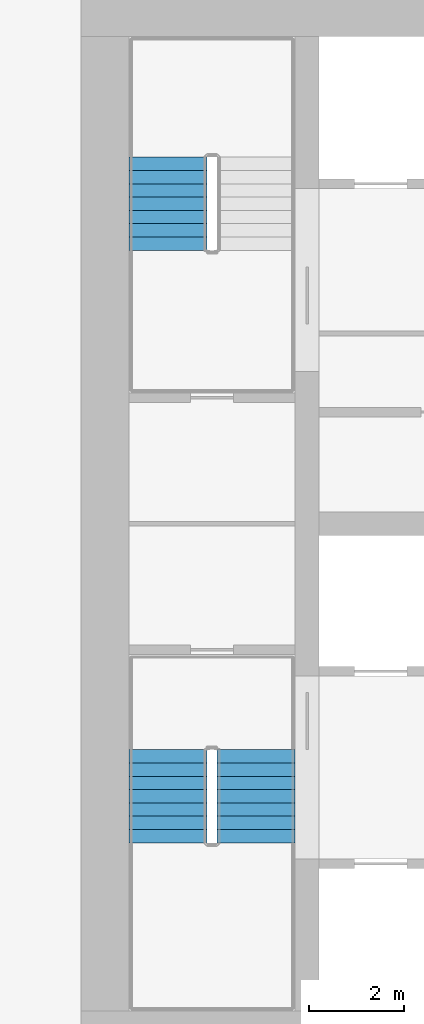
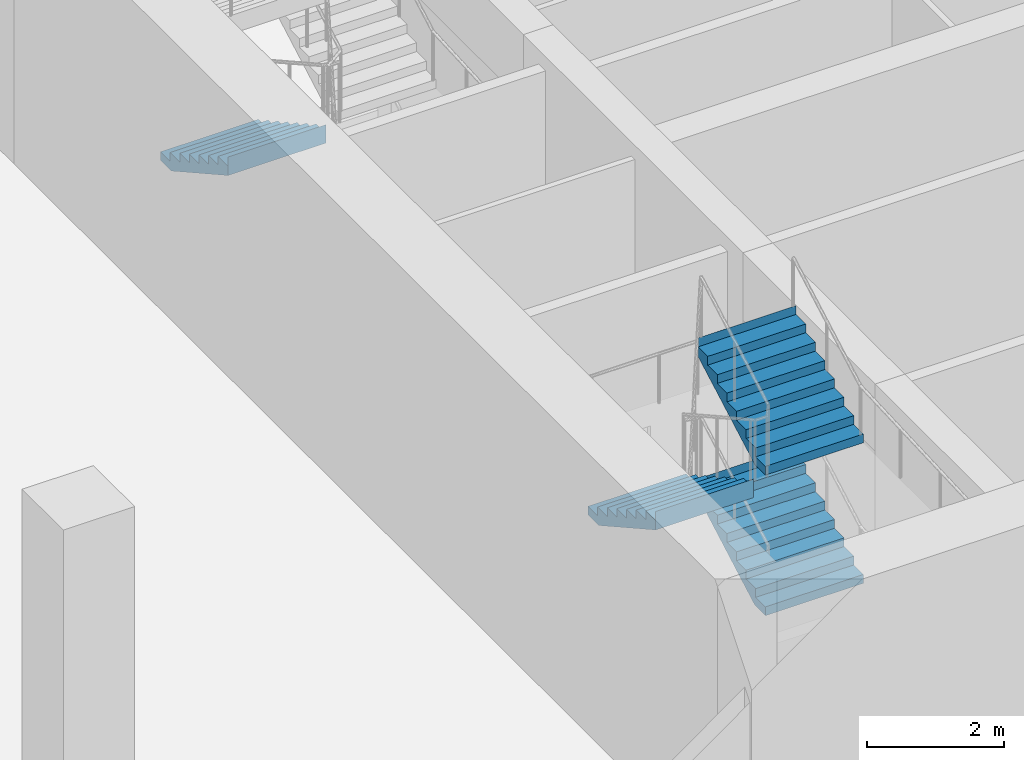
# One storey, part 13 of 22: 4 stair flights, 2 elements without a shape of their own.
"""IFC4 building model written with IfcOpenShell, lengths in metres."""

import ifcopenshell
import ifcopenshell.guid

model = None  # the IFC model being written
_history = None  # IfcOwnerHistory: only IFC2X3 demands one
_inside = {}  # id of a spatial element -> (the spatial element, [elements in it])
_under = {}  # id of a project, library or spatial element -> (it, [spatial elements below it])
_declared = {}  # id of a project -> (the project, [libraries it declares])
_typed = {}  # id of a type object -> (the type object, [elements of that type])
_made_of = {}  # id of a material, layer set ... -> (it, [elements and type objects made of it])


def new_model(schema):
    """Start an empty IFC model of exactly this schema.

    Asked for "IFC4X3", IfcOpenShell would pick the latest addendum, in which some entities
    have other attributes; the version numbers below select the first issue.
    IFC2X3 requires an IfcOwnerHistory on every rooted entity: one is made here for all.
    """
    global model, _history
    if schema == "IFC4X3":
        model = ifcopenshell.file(schema_version=(4, 3, 0, 0))
    else:
        model = ifcopenshell.file(schema=schema)
    _inside.clear()
    _under.clear()
    _declared.clear()
    _typed.clear()
    _made_of.clear()
    _history = None
    if model.schema == "IFC2X3":
        org = make("IfcOrganization", Name="unknown")
        user = make(
            "IfcPersonAndOrganization",
            ThePerson=make("IfcPerson", FamilyName="unknown"),
            TheOrganization=org,
        )
        app = make(
            "IfcApplication",
            ApplicationDeveloper=org,
            Version="unknown",
            ApplicationFullName="unknown",
            ApplicationIdentifier="unknown",
        )
        _history = make(
            "IfcOwnerHistory",
            OwningUser=user,
            OwningApplication=app,
            ChangeAction="ADDED",
            CreationDate=0,
        )
    return model


def make(cls, **values):
    """One entity of the class cls with the attributes given. An attribute that is None is left unset."""
    return model.create_entity(
        cls, **{name: value for name, value in values.items() if value is not None}
    )


def rooted(cls, **values):
    """An entity with a GlobalId (a new one), such as an element, a storey or a relation."""
    return make(cls, GlobalId=ifcopenshell.guid.new(), OwnerHistory=_history, **values)


def si_unit(unit_type, name, prefix=None):
    """IfcSIUnit, for example si_unit("LENGTHUNIT", "METRE", prefix="MILLI")."""
    return make("IfcSIUnit", UnitType=unit_type, Prefix=prefix, Name=name)


def assignment(units):
    """IfcUnitAssignment: the units of a project."""
    return None if units is None else make("IfcUnitAssignment", Units=units)


def point(xyz):
    """IfcCartesianPoint."""
    return None if xyz is None else make("IfcCartesianPoint", Coordinates=xyz)


def direction(xyz):
    """IfcDirection."""
    return None if xyz is None else make("IfcDirection", DirectionRatios=xyz)


def frame(location, z_axis=None, x_axis=None):
    """IfcAxis2Placement3D, a coordinate frame: its origin and axes. An axis left out is left unset."""
    return make(
        "IfcAxis2Placement3D",
        Location=point(location),
        Axis=direction(z_axis),
        RefDirection=direction(x_axis),
    )


def origin():
    """The frame at (0, 0, 0) with its axes left unset."""
    return frame((0.0, 0.0, 0.0))


def place(relative_to, where):
    """IfcLocalPlacement: puts the frame where relative to a parent placement (None: the world)."""
    return make(
        "IfcLocalPlacement", PlacementRelTo=relative_to, RelativePlacement=where
    )


def context(
    kind, dimensions, precision=None, world=None, true_north=None, identifier=None
):
    """IfcGeometricRepresentationContext, for example the 3D "Model" context."""
    return make(
        "IfcGeometricRepresentationContext",
        ContextIdentifier=identifier,
        ContextType=kind,
        CoordinateSpaceDimension=dimensions,
        Precision=precision,
        WorldCoordinateSystem=world,
        TrueNorth=true_north,
    )


def subcontext(parent, identifier, kind, view, scale=None):
    """IfcGeometricRepresentationSubContext, for example "Body" below "Model"."""
    return make(
        "IfcGeometricRepresentationSubContext",
        ContextIdentifier=identifier,
        ContextType=kind,
        ParentContext=parent,
        TargetScale=scale,
        TargetView=view,
    )


def project(units=None, contexts=None):
    """IfcProject with its units and contexts."""
    return rooted(
        "IfcProject",
        Name="project",
        RepresentationContexts=contexts,
        UnitsInContext=assignment(units),
    )


def spatial(cls, under=None, at=None, **own):
    """A site, building, storey or space (cls), placed at a placement, below another one or the project."""
    s = rooted(cls, ObjectPlacement=at, **own)
    if under is not None:
        _under.setdefault(under.id(), (under, []))[1].append(s)
    return s


def polyline(points):
    """IfcPolyline through the points."""
    return make("IfcPolyline", Points=[point(p) for p in points])


def outline(outer, holes=None, kind="AREA"):
    """IfcArbitraryClosedProfileDef: a profile drawn as a closed curve; with holes, ...WithVoids."""
    if holes is None:
        return make("IfcArbitraryClosedProfileDef", ProfileType=kind, OuterCurve=outer)
    return make(
        "IfcArbitraryProfileDefWithVoids",
        ProfileType=kind,
        OuterCurve=outer,
        InnerCurves=holes,
    )


def extrude(swept, where, along, depth):
    """IfcExtrudedAreaSolid: the profile swept, set in the frame where, extruded along a direction by depth."""
    return make(
        "IfcExtrudedAreaSolid",
        SweptArea=swept,
        Position=where,
        ExtrudedDirection=direction(along),
        Depth=depth,
    )


def shape(context_of_items, identifier, shape_type, items):
    """IfcShapeRepresentation: the items that make up one representation, for example the "Body"."""
    return make(
        "IfcShapeRepresentation",
        ContextOfItems=context_of_items,
        RepresentationIdentifier=identifier,
        RepresentationType=shape_type,
        Items=items,
    )


def material(Name=None, Category=None):
    """IfcMaterial."""
    return make("IfcMaterial", Name=Name, Category=Category)


def made_of(thing, what):
    """Note that an element or type object is made of a material, layer set ...; save() writes the relation."""
    if what is not None:
        _made_of.setdefault(what.id(), (what, []))[1].append(thing)
    return thing


def type_object(cls, material=None, **own):
    """A type object (cls), such as IfcWallType, which elements share."""
    return made_of(rooted(cls, **own), material)


def element(
    cls,
    number,
    at=None,
    inside=None,
    cuts=None,
    type_object=None,
    material=None,
    context=None,
    identifier="Body",
    shape_type=None,
    held_by="IfcProductDefinitionShape",
    body=None,
    shapes=None,
    **own,
):
    """One element of the class cls, such as IfcWall. Its Tag is "e" and its number.

    at: its placement. inside: the storey or other place that contains it. cuts: it is an
    opening in that element (IfcRelVoidsElement). A single representation is given by context,
    identifier, shape_type and body (its items); several are given by shapes. held_by: the class
    of the entity that holds the representations. save() writes the other relations.
    """
    e = rooted(cls, Tag="e%d" % number, ObjectPlacement=at, **own)
    if body is not None:
        shapes = [shape(context, identifier, shape_type, body)]
    if shapes is not None:
        e.Representation = make(held_by, Representations=shapes)
    if inside is not None:
        _inside.setdefault(inside.id(), (inside, []))[1].append(e)
    if cuts is not None:
        rooted(
            "IfcRelVoidsElement", RelatingBuildingElement=cuts, RelatedOpeningElement=e
        )
    if type_object is not None:
        _typed.setdefault(type_object.id(), (type_object, []))[1].append(e)
    return made_of(e, material)


def aggregate(whole, parts):
    """IfcRelAggregates: a whole, such as a stair, and the parts it consists of."""
    return rooted("IfcRelAggregates", RelatingObject=whole, RelatedObjects=parts)


def save(model, path):
    """Write the relations noted so far, then the file.

    IfcRelAggregates (storeys below a building ...), IfcRelContainedInSpatialStructure (elements
    in a storey), IfcRelDefinesByType, IfcRelAssociatesMaterial and IfcRelDeclares: one each for
    every whole, place, type object, material and project.
    """
    for whole, parts in _under.values():
        aggregate(whole, parts)
    for where, things in _inside.values():
        rooted(
            "IfcRelContainedInSpatialStructure",
            RelatedElements=things,
            RelatingStructure=where,
        )
    for kind, things in _typed.values():
        rooted("IfcRelDefinesByType", RelatedObjects=things, RelatingType=kind)
    for what, things in _made_of.values():
        rooted("IfcRelAssociatesMaterial", RelatedObjects=things, RelatingMaterial=what)
    for by, libraries in _declared.values():
        rooted("IfcRelDeclares", RelatingContext=by, RelatedDefinitions=libraries)
    model.write(path)


model = new_model("IFC4")

# Units and contexts
model_context = context("Model", 3, precision=1e-05, world=origin(), true_north=direction((0.0, 1.0)))
body_context = subcontext(model_context, "Body", "Model", "MODEL_VIEW")
ifc_project = project(units=[si_unit("LENGTHUNIT", "METRE"), si_unit("AREAUNIT", "SQUARE_METRE"), si_unit("VOLUMEUNIT", "CUBIC_METRE"), si_unit("PLANEANGLEUNIT", "RADIAN"), si_unit("MASSUNIT", "GRAM", prefix="KILO")], contexts=[model_context])

# Site, building, storey
site_placement = place(None, origin())
site = spatial("IfcSite", under=ifc_project, at=site_placement, CompositionType="ELEMENT")
building_placement = place(site_placement, origin())
building = spatial("IfcBuilding", under=site, at=building_placement, Name="Tamorin Gate", CompositionType="ELEMENT")
storey_placement = place(building_placement, frame((0.0, 0.0, 29.0)))
storey = spatial("IfcBuildingStorey", under=building, at=storey_placement, Name="L05", CompositionType="ELEMENT", Elevation=29.0)

# Stair, stair flights
ifc_material = material(Name="Concrete C40/50", Category="concrete")
stair_type = type_object("IfcStairType", Name="Exit stair", PredefinedType="HALF_TURN_STAIR", material=ifc_material)
stair_1_placement = place(storey_placement, origin())
stair_1 = element("IfcStair", 1, at=stair_1_placement, inside=storey, type_object=stair_type, Name="L05 stair ST1", PredefinedType="HALF_TURN_STAIR")
stair_flight_type = type_object("IfcStairFlightType", Name="Exit stair flight", PredefinedType="STRAIGHT", material=ifc_material)
stair_flight_1_placement = place(storey_placement, frame((33.675048828125, 64.5400390625, 1.25), z_axis=(0.0, 0.0, 1.0), x_axis=(0.0, 1.0, 0.0)))
stair_flight_1 = element("IfcStairFlight", 2, at=stair_flight_1_placement, type_object=stair_flight_type, Name="ST1 flight 2", NumberOfRisers=8, NumberOfTreads=7, PredefinedType="STRAIGHT", RiserHeight=0.15625, TreadLength=0.28, context=body_context, shape_type="SweptSolid", body=[
    extrude(outline(polyline([(-0.00048828125, 0.0), (-0.00048828125, 0.00146484375), (-0.00048828125, 0.003173828125), (-0.00048828125, 0.004638671875), (-0.00048828125, 0.006103515625), (-0.00048828125, 0.0078125), (-0.00048828125, 0.00927734375), (-0.00048828125, 0.0107421875), (-0.00048828125, 0.012451171875), (-0.00048828125, 0.013916015625), (-0.00048828125, 0.015380859375), (-0.00048828125, 0.01708984375), (-0.00048828125, 0.0185546875), (-0.00048828125, 0.02001953125), (-0.00048828125, 0.021728515625), (-0.00048828125, 0.023193359375), (-0.00048828125, 0.024658203125), (-0.00048828125, 0.0263671875), (-0.00048828125, 0.02783203125), (-0.00048828125, 0.029296875), (-0.00048828125, 0.031005859375), (-0.00048828125, 0.032470703125), (-0.00048828125, 0.033935546875), (-0.00048828125, 0.03564453125), (-0.00048828125, 0.037109375), (-0.00048828125, 0.03857421875), (-0.00048828125, 0.040283203125), (-0.00048828125, 0.041748046875), (-0.00048828125, 0.043212890625), (-0.00048828125, 0.044921875), (-0.00048828125, 0.04638671875), (-0.00048828125, 0.0478515625), (-0.00048828125, 0.049560546875), (-0.00048828125, 0.051025390625), (-0.00048828125, 0.052490234375), (-0.00048828125, 0.05419921875), (-0.00048828125, 0.0556640625), (-0.00048828125, 0.05712890625), (-0.00048828125, 0.058837890625), (-0.00048828125, 0.060302734375), (-0.00048828125, 0.061767578125), (-0.00048828125, 0.0634765625), (-0.00048828125, 0.06494140625), (-0.00048828125, 0.06640625), (-0.00048828125, 0.068115234375), (-0.00048828125, 0.069580078125), (-0.00048828125, 0.071044921875), (-0.00048828125, 0.07275390625), (-0.00048828125, 0.07421875), (-0.00048828125, 0.07568359375), (-0.00048828125, 0.077392578125), (-0.00048828125, 0.078857421875), (-0.00048828125, 0.08056640625), (-0.00048828125, 0.08203125), (-0.00048828125, 0.08349609375), (-0.00048828125, 0.085205078125), (-0.00048828125, 0.086669921875), (-0.00048828125, 0.088134765625), (-0.00048828125, 0.08984375), (-0.00048828125, 0.09130859375), (-0.00048828125, 0.0927734375), (-0.00048828125, 0.094482421875), (-0.00048828125, 0.095947265625), (-0.00048828125, 0.097412109375), (-0.00048828125, 0.09912109375), (-0.00048828125, 0.1005859375), (-0.00048828125, 0.10205078125), (-0.00048828125, 0.103759765625), (-0.00048828125, 0.105224609375), (-0.00048828125, 0.106689453125), (-0.00048828125, 0.1083984375), (-0.00048828125, 0.10986328125), (-0.00048828125, 0.111328125), (-0.00048828125, 0.113037109375), (-0.00048828125, 0.114501953125), (-0.00048828125, 0.115966796875), (-0.00048828125, 0.11767578125), (-0.00048828125, 0.119140625), (-0.00048828125, 0.12060546875), (-0.00048828125, 0.122314453125), (-0.00048828125, 0.123779296875), (-0.00048828125, 0.125244140625), (-0.00048828125, 0.126953125), (-0.00048828125, 0.12841796875), (-0.00048828125, 0.1298828125), (-0.00048828125, 0.131591796875), (-0.00048828125, 0.133056640625), (-0.00048828125, 0.134521484375), (-0.00048828125, 0.13623046875), (-0.00048828125, 0.1376953125), (-0.00048828125, 0.13916015625), (-0.00048828125, 0.140869140625), (-0.00048828125, 0.142333984375), (-0.00048828125, 0.143798828125), (-0.00048828125, 0.1455078125), (-0.00048828125, 0.14697265625), (-0.00048828125, 0.1484375), (-0.00048828125, 0.150146484375), (-0.00048828125, 0.151611328125), (-0.00048828125, 0.153076171875), (-0.00048828125, 0.15478515625), (-0.00048828125, 0.15625), (0.280029296875, 0.15625), (0.280029296875, 0.3125), (0.56005859375, 0.3125), (0.56005859375, 0.46875), (0.840087890625, 0.46875), (0.840087890625, 0.625), (1.1201171875, 0.625), (1.1201171875, 0.78125), (1.39990234375, 0.78125), (1.39990234375, 0.9375), (1.679931640625, 0.9375), (1.679931640625, 1.09375), (1.9599609375, 1.09375), (1.9599609375, 1.25), (1.96044921875, 1.25), (1.96044921875, 1.246826171875), (1.96044921875, 1.243408203125), (1.96044921875, 1.240234375), (1.96044921875, 1.237060546875), (1.96044921875, 1.23388671875), (1.96044921875, 1.23046875), (1.96044921875, 1.227294921875), (1.96044921875, 1.22412109375), (1.96044921875, 1.220703125), (1.96044921875, 1.217529296875), (1.96044921875, 1.21435546875), (1.96044921875, 1.2109375), (1.96044921875, 1.207763671875), (1.96044921875, 1.20458984375), (1.96044921875, 1.201416015625), (1.96044921875, 1.197998046875), (1.96044921875, 1.19482421875), (1.96044921875, 1.191650390625), (1.96044921875, 1.188232421875), (1.96044921875, 1.18505859375), (1.96044921875, 1.181884765625), (1.96044921875, 1.178466796875), (1.96044921875, 1.17529296875), (1.96044921875, 1.172119140625), (1.96044921875, 1.1689453125), (1.96044921875, 1.16552734375), (1.96044921875, 1.162353515625), (1.96044921875, 1.1591796875), (1.96044921875, 1.15576171875), (1.96044921875, 1.152587890625), (1.96044921875, 1.1494140625), (1.96044921875, 1.14599609375), (1.96044921875, 1.142822265625), (1.96044921875, 1.1396484375), (1.96044921875, 1.136474609375), (1.96044921875, 1.133056640625), (1.96044921875, 1.1298828125), (1.96044921875, 1.126708984375), (1.96044921875, 1.123291015625), (1.96044921875, 1.1201171875), (1.96044921875, 1.116943359375), (1.96044921875, 1.113525390625), (1.96044921875, 1.1103515625), (1.96044921875, 1.107177734375), (1.96044921875, 1.10400390625), (1.96044921875, 1.1005859375), (1.96044921875, 1.097412109375), (1.96044921875, 1.09423828125), (1.96044921875, 1.0908203125), (1.96044921875, 1.087646484375), (1.96044921875, 1.08447265625), (1.96044921875, 1.0810546875), (1.96044921875, 1.077880859375), (1.96044921875, 1.07470703125), (1.96044921875, 1.071533203125), (1.96044921875, 1.068115234375), (1.96044921875, 1.06494140625), (1.96044921875, 1.061767578125), (1.96044921875, 1.058349609375), (1.96044921875, 1.05517578125), (1.96044921875, 1.052001953125), (1.96044921875, 1.048828125), (1.96044921875, 1.04541015625), (1.96044921875, 1.042236328125), (1.96044921875, 1.0390625), (1.96044921875, 1.03564453125), (1.96044921875, 1.032470703125), (1.96044921875, 1.029296875), (1.96044921875, 1.02587890625), (1.96044921875, 1.022705078125), (1.96044921875, 1.01953125), (1.96044921875, 1.016357421875), (1.96044921875, 1.012939453125), (1.96044921875, 1.009765625), (1.96044921875, 1.006591796875), (1.96044921875, 1.003173828125), (1.96044921875, 1.0), (1.96044921875, 0.996826171875), (1.96044921875, 0.993408203125), (1.96044921875, 0.990234375), (1.96044921875, 0.987060546875), (1.96044921875, 0.98388671875), (1.96044921875, 0.98046875), (1.96044921875, 0.977294921875), (1.96044921875, 0.97412109375), (1.96044921875, 0.970703125), (1.96044921875, 0.967529296875), (1.96044921875, 0.96435546875), (1.96044921875, 0.9609375), (1.96044921875, 0.957763671875), (1.96044921875, 0.95458984375), (1.96044921875, 0.951416015625), (1.96044921875, 0.947998046875), (1.96044921875, 0.94482421875), (1.96044921875, 0.941650390625), (1.96044921875, 0.938232421875), (1.96044921875, 0.93505859375), (1.96044921875, 0.931884765625), (1.96044921875, 0.928466796875), (1.96044921875, 0.92529296875), (1.96044921875, 0.922119140625), (1.9599609375, 0.922119140625), (0.3076171875, 0.0), (-0.00048828125, 0.0)])), frame((0.0, 0.824951171875, 0.0), z_axis=(0.0, -1.0, 0.0), x_axis=(1.0, 0.0, 0.0)), (0.0, 0.0, 1.0), 1.64990234375),
])
stair_flight_2_placement = place(storey_placement, frame((31.824951171875, 66.5, 2.5), z_axis=(0.0, 0.0, 1.0), x_axis=(0.0, -1.0, 0.0)))
stair_flight_2 = element("IfcStairFlight", 3, at=stair_flight_2_placement, type_object=stair_flight_type, Name="ST1 flight 3", NumberOfRisers=8, NumberOfTreads=7, PredefinedType="STRAIGHT", RiserHeight=0.15625, TreadLength=0.28, context=body_context, shape_type="SweptSolid", body=[
    extrude(outline(polyline([(-0.00048828125, 0.0), (-0.00048828125, 0.00146484375), (-0.00048828125, 0.003173828125), (-0.00048828125, 0.004638671875), (-0.00048828125, 0.006103515625), (-0.00048828125, 0.0078125), (-0.00048828125, 0.00927734375), (-0.00048828125, 0.0107421875), (-0.00048828125, 0.012451171875), (-0.00048828125, 0.013916015625), (-0.00048828125, 0.015380859375), (-0.00048828125, 0.01708984375), (-0.00048828125, 0.0185546875), (-0.00048828125, 0.02001953125), (-0.00048828125, 0.021728515625), (-0.00048828125, 0.023193359375), (-0.00048828125, 0.024658203125), (-0.00048828125, 0.0263671875), (-0.00048828125, 0.02783203125), (-0.00048828125, 0.029296875), (-0.00048828125, 0.031005859375), (-0.00048828125, 0.032470703125), (-0.00048828125, 0.033935546875), (-0.00048828125, 0.03564453125), (-0.00048828125, 0.037109375), (-0.00048828125, 0.03857421875), (-0.00048828125, 0.040283203125), (-0.00048828125, 0.041748046875), (-0.00048828125, 0.043212890625), (-0.00048828125, 0.044921875), (-0.00048828125, 0.04638671875), (-0.00048828125, 0.0478515625), (-0.00048828125, 0.049560546875), (-0.00048828125, 0.051025390625), (-0.00048828125, 0.052490234375), (-0.00048828125, 0.05419921875), (-0.00048828125, 0.0556640625), (-0.00048828125, 0.05712890625), (-0.00048828125, 0.058837890625), (-0.00048828125, 0.060302734375), (-0.00048828125, 0.061767578125), (-0.00048828125, 0.0634765625), (-0.00048828125, 0.06494140625), (-0.00048828125, 0.06640625), (-0.00048828125, 0.068115234375), (-0.00048828125, 0.069580078125), (-0.00048828125, 0.071044921875), (-0.00048828125, 0.07275390625), (-0.00048828125, 0.07421875), (-0.00048828125, 0.07568359375), (-0.00048828125, 0.077392578125), (-0.00048828125, 0.078857421875), (-0.00048828125, 0.08056640625), (-0.00048828125, 0.08203125), (-0.00048828125, 0.08349609375), (-0.00048828125, 0.085205078125), (-0.00048828125, 0.086669921875), (-0.00048828125, 0.088134765625), (-0.00048828125, 0.08984375), (-0.00048828125, 0.09130859375), (-0.00048828125, 0.0927734375), (-0.00048828125, 0.094482421875), (-0.00048828125, 0.095947265625), (-0.00048828125, 0.097412109375), (-0.00048828125, 0.09912109375), (-0.00048828125, 0.1005859375), (-0.00048828125, 0.10205078125), (-0.00048828125, 0.103759765625), (-0.00048828125, 0.105224609375), (-0.00048828125, 0.106689453125), (-0.00048828125, 0.1083984375), (-0.00048828125, 0.10986328125), (-0.00048828125, 0.111328125), (-0.00048828125, 0.113037109375), (-0.00048828125, 0.114501953125), (-0.00048828125, 0.115966796875), (-0.00048828125, 0.11767578125), (-0.00048828125, 0.119140625), (-0.00048828125, 0.12060546875), (-0.00048828125, 0.122314453125), (-0.00048828125, 0.123779296875), (-0.00048828125, 0.125244140625), (-0.00048828125, 0.126953125), (-0.00048828125, 0.12841796875), (-0.00048828125, 0.1298828125), (-0.00048828125, 0.131591796875), (-0.00048828125, 0.133056640625), (-0.00048828125, 0.134521484375), (-0.00048828125, 0.13623046875), (-0.00048828125, 0.1376953125), (-0.00048828125, 0.13916015625), (-0.00048828125, 0.140869140625), (-0.00048828125, 0.142333984375), (-0.00048828125, 0.143798828125), (-0.00048828125, 0.1455078125), (-0.00048828125, 0.14697265625), (-0.00048828125, 0.1484375), (-0.00048828125, 0.150146484375), (-0.00048828125, 0.151611328125), (-0.00048828125, 0.153076171875), (-0.00048828125, 0.15478515625), (-0.00048828125, 0.15625), (0.280029296875, 0.15625), (0.280029296875, 0.3125), (0.56005859375, 0.3125), (0.56005859375, 0.46875), (0.840087890625, 0.46875), (0.840087890625, 0.625), (1.1201171875, 0.625), (1.1201171875, 0.78125), (1.39990234375, 0.78125), (1.39990234375, 0.9375), (1.679931640625, 0.9375), (1.679931640625, 1.09375), (1.9599609375, 1.09375), (1.9599609375, 1.25), (1.96044921875, 1.25), (1.96044921875, 1.246826171875), (1.96044921875, 1.243408203125), (1.96044921875, 1.240234375), (1.96044921875, 1.237060546875), (1.96044921875, 1.23388671875), (1.96044921875, 1.23046875), (1.96044921875, 1.227294921875), (1.96044921875, 1.22412109375), (1.96044921875, 1.220703125), (1.96044921875, 1.217529296875), (1.96044921875, 1.21435546875), (1.96044921875, 1.2109375), (1.96044921875, 1.207763671875), (1.96044921875, 1.20458984375), (1.96044921875, 1.201416015625), (1.96044921875, 1.197998046875), (1.96044921875, 1.19482421875), (1.96044921875, 1.191650390625), (1.96044921875, 1.188232421875), (1.96044921875, 1.18505859375), (1.96044921875, 1.181884765625), (1.96044921875, 1.178466796875), (1.96044921875, 1.17529296875), (1.96044921875, 1.172119140625), (1.96044921875, 1.1689453125), (1.96044921875, 1.16552734375), (1.96044921875, 1.162353515625), (1.96044921875, 1.1591796875), (1.96044921875, 1.15576171875), (1.96044921875, 1.152587890625), (1.96044921875, 1.1494140625), (1.96044921875, 1.14599609375), (1.96044921875, 1.142822265625), (1.96044921875, 1.1396484375), (1.96044921875, 1.136474609375), (1.96044921875, 1.133056640625), (1.96044921875, 1.1298828125), (1.96044921875, 1.126708984375), (1.96044921875, 1.123291015625), (1.96044921875, 1.1201171875), (1.96044921875, 1.116943359375), (1.96044921875, 1.113525390625), (1.96044921875, 1.1103515625), (1.96044921875, 1.107177734375), (1.96044921875, 1.10400390625), (1.96044921875, 1.1005859375), (1.96044921875, 1.097412109375), (1.96044921875, 1.09423828125), (1.96044921875, 1.0908203125), (1.96044921875, 1.087646484375), (1.96044921875, 1.08447265625), (1.96044921875, 1.0810546875), (1.96044921875, 1.077880859375), (1.96044921875, 1.07470703125), (1.96044921875, 1.071533203125), (1.96044921875, 1.068115234375), (1.96044921875, 1.06494140625), (1.96044921875, 1.061767578125), (1.96044921875, 1.058349609375), (1.96044921875, 1.05517578125), (1.96044921875, 1.052001953125), (1.96044921875, 1.048828125), (1.96044921875, 1.04541015625), (1.96044921875, 1.042236328125), (1.96044921875, 1.0390625), (1.96044921875, 1.03564453125), (1.96044921875, 1.032470703125), (1.96044921875, 1.029296875), (1.96044921875, 1.02587890625), (1.96044921875, 1.022705078125), (1.96044921875, 1.01953125), (1.96044921875, 1.016357421875), (1.96044921875, 1.012939453125), (1.96044921875, 1.009765625), (1.96044921875, 1.006591796875), (1.96044921875, 1.003173828125), (1.96044921875, 1.0), (1.96044921875, 0.996826171875), (1.96044921875, 0.993408203125), (1.96044921875, 0.990234375), (1.96044921875, 0.987060546875), (1.96044921875, 0.98388671875), (1.96044921875, 0.98046875), (1.96044921875, 0.977294921875), (1.96044921875, 0.97412109375), (1.96044921875, 0.970703125), (1.96044921875, 0.967529296875), (1.96044921875, 0.96435546875), (1.96044921875, 0.9609375), (1.96044921875, 0.957763671875), (1.96044921875, 0.95458984375), (1.96044921875, 0.951416015625), (1.96044921875, 0.947998046875), (1.96044921875, 0.94482421875), (1.96044921875, 0.941650390625), (1.96044921875, 0.938232421875), (1.96044921875, 0.93505859375), (1.96044921875, 0.931884765625), (1.96044921875, 0.928466796875), (1.96044921875, 0.92529296875), (1.96044921875, 0.922119140625), (1.9599609375, 0.922119140625), (0.3076171875, 0.0), (-0.00048828125, 0.0)])), frame((0.0, 0.824951171875, 0.0), z_axis=(0.0, -1.0, 0.0), x_axis=(1.0, 0.0, 0.0)), (0.0, 0.0, 1.0), 1.64990234375),
])
stair_flight_3_placement = place(storey_placement, frame((33.675048828125, 64.5400390625, 3.75), z_axis=(0.0, 0.0, 1.0), x_axis=(0.0, 1.0, 0.0)))
stair_flight_3 = element("IfcStairFlight", 4, at=stair_flight_3_placement, type_object=stair_flight_type, Name="ST1 flight 4", NumberOfRisers=8, NumberOfTreads=7, PredefinedType="STRAIGHT", RiserHeight=0.15625, TreadLength=0.28, context=body_context, shape_type="SweptSolid", body=[
    extrude(outline(polyline([(-0.00048828125, 0.0), (-0.00048828125, 0.00146484375), (-0.00048828125, 0.003173828125), (-0.00048828125, 0.004638671875), (-0.00048828125, 0.006103515625), (-0.00048828125, 0.0078125), (-0.00048828125, 0.00927734375), (-0.00048828125, 0.0107421875), (-0.00048828125, 0.012451171875), (-0.00048828125, 0.013916015625), (-0.00048828125, 0.015380859375), (-0.00048828125, 0.01708984375), (-0.00048828125, 0.0185546875), (-0.00048828125, 0.02001953125), (-0.00048828125, 0.021728515625), (-0.00048828125, 0.023193359375), (-0.00048828125, 0.024658203125), (-0.00048828125, 0.0263671875), (-0.00048828125, 0.02783203125), (-0.00048828125, 0.029296875), (-0.00048828125, 0.031005859375), (-0.00048828125, 0.032470703125), (-0.00048828125, 0.033935546875), (-0.00048828125, 0.03564453125), (-0.00048828125, 0.037109375), (-0.00048828125, 0.03857421875), (-0.00048828125, 0.040283203125), (-0.00048828125, 0.041748046875), (-0.00048828125, 0.043212890625), (-0.00048828125, 0.044921875), (-0.00048828125, 0.04638671875), (-0.00048828125, 0.0478515625), (-0.00048828125, 0.049560546875), (-0.00048828125, 0.051025390625), (-0.00048828125, 0.052490234375), (-0.00048828125, 0.05419921875), (-0.00048828125, 0.0556640625), (-0.00048828125, 0.05712890625), (-0.00048828125, 0.058837890625), (-0.00048828125, 0.060302734375), (-0.00048828125, 0.061767578125), (-0.00048828125, 0.0634765625), (-0.00048828125, 0.06494140625), (-0.00048828125, 0.06640625), (-0.00048828125, 0.068115234375), (-0.00048828125, 0.069580078125), (-0.00048828125, 0.071044921875), (-0.00048828125, 0.07275390625), (-0.00048828125, 0.07421875), (-0.00048828125, 0.07568359375), (-0.00048828125, 0.077392578125), (-0.00048828125, 0.078857421875), (-0.00048828125, 0.08056640625), (-0.00048828125, 0.08203125), (-0.00048828125, 0.08349609375), (-0.00048828125, 0.085205078125), (-0.00048828125, 0.086669921875), (-0.00048828125, 0.088134765625), (-0.00048828125, 0.08984375), (-0.00048828125, 0.09130859375), (-0.00048828125, 0.0927734375), (-0.00048828125, 0.094482421875), (-0.00048828125, 0.095947265625), (-0.00048828125, 0.097412109375), (-0.00048828125, 0.09912109375), (-0.00048828125, 0.1005859375), (-0.00048828125, 0.10205078125), (-0.00048828125, 0.103759765625), (-0.00048828125, 0.105224609375), (-0.00048828125, 0.106689453125), (-0.00048828125, 0.1083984375), (-0.00048828125, 0.10986328125), (-0.00048828125, 0.111328125), (-0.00048828125, 0.113037109375), (-0.00048828125, 0.114501953125), (-0.00048828125, 0.115966796875), (-0.00048828125, 0.11767578125), (-0.00048828125, 0.119140625), (-0.00048828125, 0.12060546875), (-0.00048828125, 0.122314453125), (-0.00048828125, 0.123779296875), (-0.00048828125, 0.125244140625), (-0.00048828125, 0.126953125), (-0.00048828125, 0.12841796875), (-0.00048828125, 0.1298828125), (-0.00048828125, 0.131591796875), (-0.00048828125, 0.133056640625), (-0.00048828125, 0.134521484375), (-0.00048828125, 0.13623046875), (-0.00048828125, 0.1376953125), (-0.00048828125, 0.13916015625), (-0.00048828125, 0.140869140625), (-0.00048828125, 0.142333984375), (-0.00048828125, 0.143798828125), (-0.00048828125, 0.1455078125), (-0.00048828125, 0.14697265625), (-0.00048828125, 0.1484375), (-0.00048828125, 0.150146484375), (-0.00048828125, 0.151611328125), (-0.00048828125, 0.153076171875), (-0.00048828125, 0.15478515625), (-0.00048828125, 0.15625), (0.280029296875, 0.15625), (0.280029296875, 0.3125), (0.56005859375, 0.3125), (0.56005859375, 0.46875), (0.840087890625, 0.46875), (0.840087890625, 0.625), (1.1201171875, 0.625), (1.1201171875, 0.78125), (1.39990234375, 0.78125), (1.39990234375, 0.9375), (1.679931640625, 0.9375), (1.679931640625, 1.09375), (1.9599609375, 1.09375), (1.9599609375, 1.25), (1.96044921875, 1.25), (1.96044921875, 1.246826171875), (1.96044921875, 1.243408203125), (1.96044921875, 1.240234375), (1.96044921875, 1.237060546875), (1.96044921875, 1.23388671875), (1.96044921875, 1.23046875), (1.96044921875, 1.227294921875), (1.96044921875, 1.22412109375), (1.96044921875, 1.220703125), (1.96044921875, 1.217529296875), (1.96044921875, 1.21435546875), (1.96044921875, 1.2109375), (1.96044921875, 1.207763671875), (1.96044921875, 1.20458984375), (1.96044921875, 1.201416015625), (1.96044921875, 1.197998046875), (1.96044921875, 1.19482421875), (1.96044921875, 1.191650390625), (1.96044921875, 1.188232421875), (1.96044921875, 1.18505859375), (1.96044921875, 1.181884765625), (1.96044921875, 1.178466796875), (1.96044921875, 1.17529296875), (1.96044921875, 1.172119140625), (1.96044921875, 1.1689453125), (1.96044921875, 1.16552734375), (1.96044921875, 1.162353515625), (1.96044921875, 1.1591796875), (1.96044921875, 1.15576171875), (1.96044921875, 1.152587890625), (1.96044921875, 1.1494140625), (1.96044921875, 1.14599609375), (1.96044921875, 1.142822265625), (1.96044921875, 1.1396484375), (1.96044921875, 1.136474609375), (1.96044921875, 1.133056640625), (1.96044921875, 1.1298828125), (1.96044921875, 1.126708984375), (1.96044921875, 1.123291015625), (1.96044921875, 1.1201171875), (1.96044921875, 1.116943359375), (1.96044921875, 1.113525390625), (1.96044921875, 1.1103515625), (1.96044921875, 1.107177734375), (1.96044921875, 1.10400390625), (1.96044921875, 1.1005859375), (1.96044921875, 1.097412109375), (1.96044921875, 1.09423828125), (1.96044921875, 1.0908203125), (1.96044921875, 1.087646484375), (1.96044921875, 1.08447265625), (1.96044921875, 1.0810546875), (1.96044921875, 1.077880859375), (1.96044921875, 1.07470703125), (1.96044921875, 1.071533203125), (1.96044921875, 1.068115234375), (1.96044921875, 1.06494140625), (1.96044921875, 1.061767578125), (1.96044921875, 1.058349609375), (1.96044921875, 1.05517578125), (1.96044921875, 1.052001953125), (1.96044921875, 1.048828125), (1.96044921875, 1.04541015625), (1.96044921875, 1.042236328125), (1.96044921875, 1.0390625), (1.96044921875, 1.03564453125), (1.96044921875, 1.032470703125), (1.96044921875, 1.029296875), (1.96044921875, 1.02587890625), (1.96044921875, 1.022705078125), (1.96044921875, 1.01953125), (1.96044921875, 1.016357421875), (1.96044921875, 1.012939453125), (1.96044921875, 1.009765625), (1.96044921875, 1.006591796875), (1.96044921875, 1.003173828125), (1.96044921875, 1.0), (1.96044921875, 0.996826171875), (1.96044921875, 0.993408203125), (1.96044921875, 0.990234375), (1.96044921875, 0.987060546875), (1.96044921875, 0.98388671875), (1.96044921875, 0.98046875), (1.96044921875, 0.977294921875), (1.96044921875, 0.97412109375), (1.96044921875, 0.970703125), (1.96044921875, 0.967529296875), (1.96044921875, 0.96435546875), (1.96044921875, 0.9609375), (1.96044921875, 0.957763671875), (1.96044921875, 0.95458984375), (1.96044921875, 0.951416015625), (1.96044921875, 0.947998046875), (1.96044921875, 0.94482421875), (1.96044921875, 0.941650390625), (1.96044921875, 0.938232421875), (1.96044921875, 0.93505859375), (1.96044921875, 0.931884765625), (1.96044921875, 0.928466796875), (1.96044921875, 0.92529296875), (1.96044921875, 0.922119140625), (1.9599609375, 0.922119140625), (0.3076171875, 0.0), (-0.00048828125, 0.0)])), frame((0.0, 0.824951171875, 0.0), z_axis=(0.0, -1.0, 0.0), x_axis=(1.0, 0.0, 0.0)), (0.0, 0.0, 1.0), 1.64990234375),
])
aggregate(stair_1, [stair_flight_1, stair_flight_2, stair_flight_3])

# Stair, stair flight
stair_2_placement = place(storey_placement, origin())
stair_2 = element("IfcStair", 5, at=stair_2_placement, inside=storey, type_object=stair_type, Name="L05 stair ST2", PredefinedType="HALF_TURN_STAIR")
stair_flight_4_placement = place(storey_placement, frame((31.824951171875, 78.9599609375, 1.25), z_axis=(0.0, 0.0, 1.0), x_axis=(0.0, -1.0, 0.0)))
stair_flight_4 = element("IfcStairFlight", 6, at=stair_flight_4_placement, type_object=stair_flight_type, Name="ST2 flight 2", NumberOfRisers=8, NumberOfTreads=7, PredefinedType="STRAIGHT", RiserHeight=0.15625, TreadLength=0.28, context=body_context, shape_type="SweptSolid", body=[
    extrude(outline(polyline([(-0.00048828125, 0.0), (-0.00048828125, 0.00146484375), (-0.00048828125, 0.003173828125), (-0.00048828125, 0.004638671875), (-0.00048828125, 0.006103515625), (-0.00048828125, 0.0078125), (-0.00048828125, 0.00927734375), (-0.00048828125, 0.0107421875), (-0.00048828125, 0.012451171875), (-0.00048828125, 0.013916015625), (-0.00048828125, 0.015380859375), (-0.00048828125, 0.01708984375), (-0.00048828125, 0.0185546875), (-0.00048828125, 0.02001953125), (-0.00048828125, 0.021728515625), (-0.00048828125, 0.023193359375), (-0.00048828125, 0.024658203125), (-0.00048828125, 0.0263671875), (-0.00048828125, 0.02783203125), (-0.00048828125, 0.029296875), (-0.00048828125, 0.031005859375), (-0.00048828125, 0.032470703125), (-0.00048828125, 0.033935546875), (-0.00048828125, 0.03564453125), (-0.00048828125, 0.037109375), (-0.00048828125, 0.03857421875), (-0.00048828125, 0.040283203125), (-0.00048828125, 0.041748046875), (-0.00048828125, 0.043212890625), (-0.00048828125, 0.044921875), (-0.00048828125, 0.04638671875), (-0.00048828125, 0.0478515625), (-0.00048828125, 0.049560546875), (-0.00048828125, 0.051025390625), (-0.00048828125, 0.052490234375), (-0.00048828125, 0.05419921875), (-0.00048828125, 0.0556640625), (-0.00048828125, 0.05712890625), (-0.00048828125, 0.058837890625), (-0.00048828125, 0.060302734375), (-0.00048828125, 0.061767578125), (-0.00048828125, 0.0634765625), (-0.00048828125, 0.06494140625), (-0.00048828125, 0.06640625), (-0.00048828125, 0.068115234375), (-0.00048828125, 0.069580078125), (-0.00048828125, 0.071044921875), (-0.00048828125, 0.07275390625), (-0.00048828125, 0.07421875), (-0.00048828125, 0.07568359375), (-0.00048828125, 0.077392578125), (-0.00048828125, 0.078857421875), (-0.00048828125, 0.08056640625), (-0.00048828125, 0.08203125), (-0.00048828125, 0.08349609375), (-0.00048828125, 0.085205078125), (-0.00048828125, 0.086669921875), (-0.00048828125, 0.088134765625), (-0.00048828125, 0.08984375), (-0.00048828125, 0.09130859375), (-0.00048828125, 0.0927734375), (-0.00048828125, 0.094482421875), (-0.00048828125, 0.095947265625), (-0.00048828125, 0.097412109375), (-0.00048828125, 0.09912109375), (-0.00048828125, 0.1005859375), (-0.00048828125, 0.10205078125), (-0.00048828125, 0.103759765625), (-0.00048828125, 0.105224609375), (-0.00048828125, 0.106689453125), (-0.00048828125, 0.1083984375), (-0.00048828125, 0.10986328125), (-0.00048828125, 0.111328125), (-0.00048828125, 0.113037109375), (-0.00048828125, 0.114501953125), (-0.00048828125, 0.115966796875), (-0.00048828125, 0.11767578125), (-0.00048828125, 0.119140625), (-0.00048828125, 0.12060546875), (-0.00048828125, 0.122314453125), (-0.00048828125, 0.123779296875), (-0.00048828125, 0.125244140625), (-0.00048828125, 0.126953125), (-0.00048828125, 0.12841796875), (-0.00048828125, 0.1298828125), (-0.00048828125, 0.131591796875), (-0.00048828125, 0.133056640625), (-0.00048828125, 0.134521484375), (-0.00048828125, 0.13623046875), (-0.00048828125, 0.1376953125), (-0.00048828125, 0.13916015625), (-0.00048828125, 0.140869140625), (-0.00048828125, 0.142333984375), (-0.00048828125, 0.143798828125), (-0.00048828125, 0.1455078125), (-0.00048828125, 0.14697265625), (-0.00048828125, 0.1484375), (-0.00048828125, 0.150146484375), (-0.00048828125, 0.151611328125), (-0.00048828125, 0.153076171875), (-0.00048828125, 0.15478515625), (-0.00048828125, 0.15625), (0.280029296875, 0.15625), (0.280029296875, 0.3125), (0.56005859375, 0.3125), (0.56005859375, 0.46875), (0.840087890625, 0.46875), (0.840087890625, 0.625), (1.1201171875, 0.625), (1.1201171875, 0.78125), (1.39990234375, 0.78125), (1.39990234375, 0.9375), (1.679931640625, 0.9375), (1.679931640625, 1.09375), (1.9599609375, 1.09375), (1.9599609375, 1.25), (1.96044921875, 1.25), (1.96044921875, 1.246826171875), (1.96044921875, 1.243408203125), (1.96044921875, 1.240234375), (1.96044921875, 1.237060546875), (1.96044921875, 1.23388671875), (1.96044921875, 1.23046875), (1.96044921875, 1.227294921875), (1.96044921875, 1.22412109375), (1.96044921875, 1.220703125), (1.96044921875, 1.217529296875), (1.96044921875, 1.21435546875), (1.96044921875, 1.2109375), (1.96044921875, 1.207763671875), (1.96044921875, 1.20458984375), (1.96044921875, 1.201416015625), (1.96044921875, 1.197998046875), (1.96044921875, 1.19482421875), (1.96044921875, 1.191650390625), (1.96044921875, 1.188232421875), (1.96044921875, 1.18505859375), (1.96044921875, 1.181884765625), (1.96044921875, 1.178466796875), (1.96044921875, 1.17529296875), (1.96044921875, 1.172119140625), (1.96044921875, 1.1689453125), (1.96044921875, 1.16552734375), (1.96044921875, 1.162353515625), (1.96044921875, 1.1591796875), (1.96044921875, 1.15576171875), (1.96044921875, 1.152587890625), (1.96044921875, 1.1494140625), (1.96044921875, 1.14599609375), (1.96044921875, 1.142822265625), (1.96044921875, 1.1396484375), (1.96044921875, 1.136474609375), (1.96044921875, 1.133056640625), (1.96044921875, 1.1298828125), (1.96044921875, 1.126708984375), (1.96044921875, 1.123291015625), (1.96044921875, 1.1201171875), (1.96044921875, 1.116943359375), (1.96044921875, 1.113525390625), (1.96044921875, 1.1103515625), (1.96044921875, 1.107177734375), (1.96044921875, 1.10400390625), (1.96044921875, 1.1005859375), (1.96044921875, 1.097412109375), (1.96044921875, 1.09423828125), (1.96044921875, 1.0908203125), (1.96044921875, 1.087646484375), (1.96044921875, 1.08447265625), (1.96044921875, 1.0810546875), (1.96044921875, 1.077880859375), (1.96044921875, 1.07470703125), (1.96044921875, 1.071533203125), (1.96044921875, 1.068115234375), (1.96044921875, 1.06494140625), (1.96044921875, 1.061767578125), (1.96044921875, 1.058349609375), (1.96044921875, 1.05517578125), (1.96044921875, 1.052001953125), (1.96044921875, 1.048828125), (1.96044921875, 1.04541015625), (1.96044921875, 1.042236328125), (1.96044921875, 1.0390625), (1.96044921875, 1.03564453125), (1.96044921875, 1.032470703125), (1.96044921875, 1.029296875), (1.96044921875, 1.02587890625), (1.96044921875, 1.022705078125), (1.96044921875, 1.01953125), (1.96044921875, 1.016357421875), (1.96044921875, 1.012939453125), (1.96044921875, 1.009765625), (1.96044921875, 1.006591796875), (1.96044921875, 1.003173828125), (1.96044921875, 1.0), (1.96044921875, 0.996826171875), (1.96044921875, 0.993408203125), (1.96044921875, 0.990234375), (1.96044921875, 0.987060546875), (1.96044921875, 0.98388671875), (1.96044921875, 0.98046875), (1.96044921875, 0.977294921875), (1.96044921875, 0.97412109375), (1.96044921875, 0.970703125), (1.96044921875, 0.967529296875), (1.96044921875, 0.96435546875), (1.96044921875, 0.9609375), (1.96044921875, 0.957763671875), (1.96044921875, 0.95458984375), (1.96044921875, 0.951416015625), (1.96044921875, 0.947998046875), (1.96044921875, 0.94482421875), (1.96044921875, 0.941650390625), (1.96044921875, 0.938232421875), (1.96044921875, 0.93505859375), (1.96044921875, 0.931884765625), (1.96044921875, 0.928466796875), (1.96044921875, 0.92529296875), (1.96044921875, 0.922119140625), (1.9599609375, 0.922119140625), (0.3076171875, 0.0), (-0.00048828125, 0.0)])), frame((0.0, 0.824951171875, 0.0), z_axis=(0.0, -1.0, 0.0), x_axis=(1.0, 0.0, 0.0)), (0.0, 0.0, 1.0), 1.64990234375),
])
aggregate(stair_2, [stair_flight_4])

save(model, "model.ifc")
